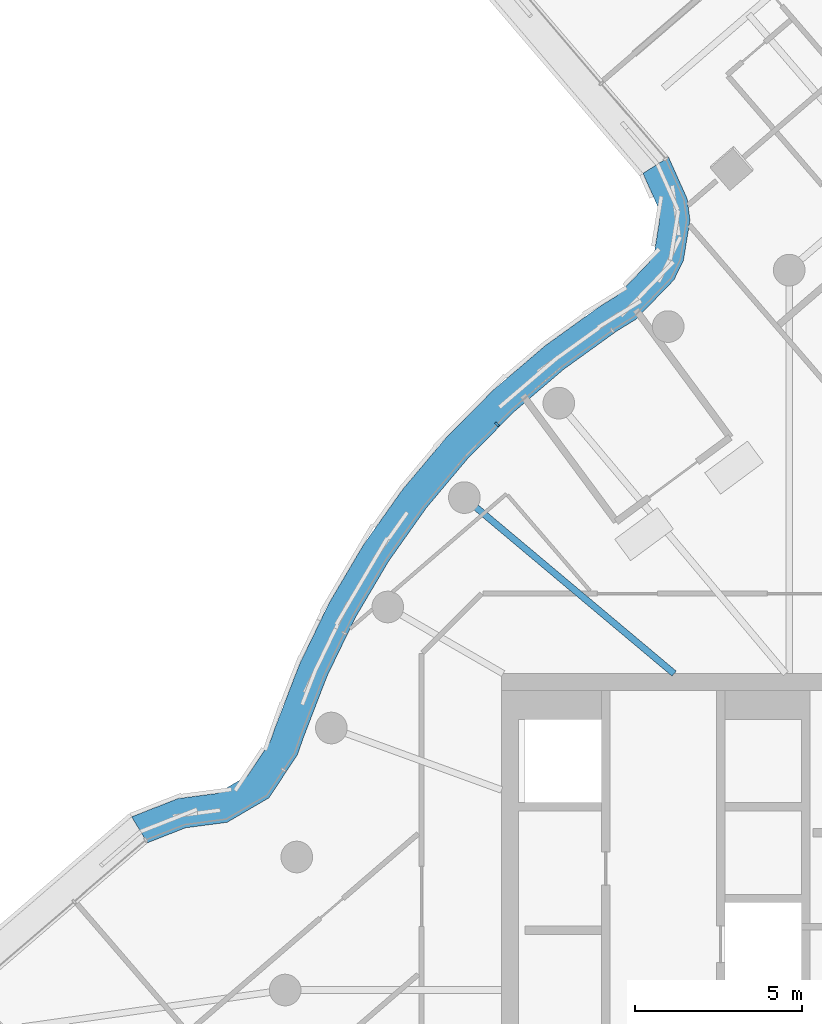
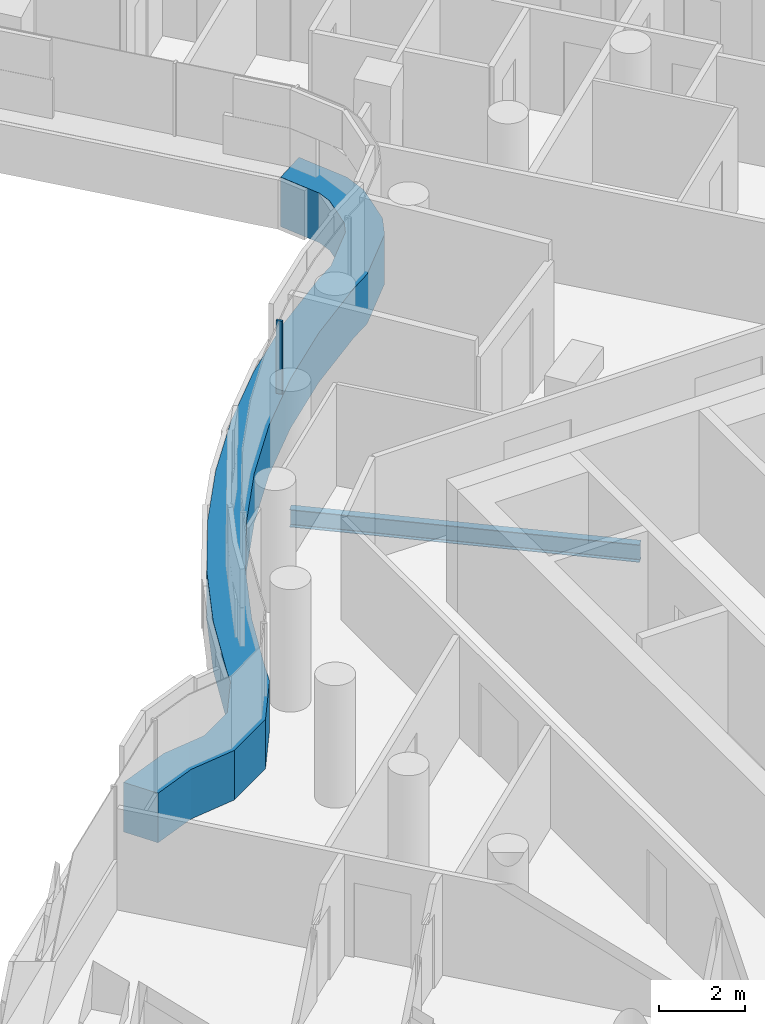
# One storey, part 10 of 34: 2 members, 1 beam, 1 element without a shape of its own.
"""IFC4 building model written with IfcOpenShell, lengths in metres."""

from ifc_helpers import new_model, si_unit, direction, frame, origin, origin_2d, place, context, subcontext, project, spatial, polyline, rectangle, i_section, outline, extrude, material, layer, layer_set, material_profile, profile_set, type_object, element, aggregate, save


model = new_model("IFC4")

# Units and contexts
model_context = context("Model", 3, precision=1e-05, world=origin(), true_north=direction((0.0, 1.0)))
body_context = subcontext(model_context, "Body", "Model", "MODEL_VIEW")
ifc_project = project(units=[si_unit("LENGTHUNIT", "METRE"), si_unit("AREAUNIT", "SQUARE_METRE"), si_unit("VOLUMEUNIT", "CUBIC_METRE"), si_unit("PLANEANGLEUNIT", "RADIAN"), si_unit("MASSUNIT", "GRAM", prefix="KILO")], contexts=[model_context])

# Site, building, storey
site_placement = place(None, origin())
site = spatial("IfcSite", under=ifc_project, at=site_placement, CompositionType="ELEMENT")
building_placement = place(site_placement, origin())
building = spatial("IfcBuilding", under=site, at=building_placement, Name="Tamarind Cross Interchange Tower", CompositionType="ELEMENT")
storey_placement = place(building_placement, frame((0.0, 0.0, 182.5)))
storey = spatial("IfcBuildingStorey", under=building, at=storey_placement, Name="L45", CompositionType="ELEMENT", Elevation=182.5)

# Beam
ifc_material_1 = material(Name="Steel Q355B", Category="steel")
ifc_material_profile_1 = material_profile(ifc_material_1, i_section(OverallWidth=0.198974609375, OverallDepth=0.49609375, WebThickness=0.009033203125, FlangeThickness=0.013916015625, FilletRadius=0.012939453125, at=origin_2d()), Name="HN 496x199x9x14")
ifc_profile_set_1 = profile_set([ifc_material_profile_1], Name="Steel Q355B")
beam_type = type_object("IfcBeamType", Name="Composite beam HN 496x199x9x14 Q355B", PredefinedType="BEAM", material=ifc_profile_set_1)
beam_placement = place(storey_placement, frame((-17.619140625, 14.7841796875, -0.387939453125), z_axis=(0.766040580814, -0.642792212574, 0.0), x_axis=(0.642792212574, 0.766040580814, 0.0)))
element("IfcBeam", 1, at=beam_placement, inside=storey, type_object=beam_type, Name="Beam HH14", PredefinedType="BEAM", context=body_context, shape_type="SweptSolid", body=[
    extrude(i_section(OverallWidth=0.198974609375, OverallDepth=0.49609375, WebThickness=0.009033203125, FlangeThickness=0.013916015625, FilletRadius=0.012939453125, at=origin_2d()), origin(), (0.0, 0.0, 1.0), 8.220703125),
])

# Curtain wall, members
ifc_material_2 = material(Name="Aluminium 6063-T6", Category="aluminium")
ifc_layer = layer(ifc_material_2, 0.14990234375)
ifc_layer_set = layer_set([ifc_layer], Name="Aluminium 6063-T6")
curtain_wall_type = type_object("IfcCurtainWallType", Name="Winter garden and crown curtain wall", PredefinedType="NOTDEFINED", material=ifc_layer_set)
curtain_wall_placement = place(storey_placement, origin())
curtain_wall = element("IfcCurtainWall", 2, at=curtain_wall_placement, inside=storey, type_object=curtain_wall_type, Name="CWS-L45-02", PredefinedType="NOTDEFINED")
ifc_material_3 = material(Name="Aluminium and insulated spandrel panel", Category="aluminium")
member_type_1 = type_object("IfcMemberType", Name="Floor-edge blade transom", PredefinedType="USERDEFINED", material=ifc_material_3)
member_1_placement = place(storey_placement, origin())
member_1 = element("IfcMember", 3, at=member_1_placement, type_object=member_type_1, Name="CWT-L45-02", ObjectType="TRANSOM", PredefinedType="USERDEFINED", context=body_context, shape_type="SweptSolid", body=[
    extrude(outline(polyline([(-11.488525390625, 25.00537109375), (-10.9296875, 23.755615234375), (-10.845703125, 23.112060546875), (-11.0419921875, 21.90576171875), (-11.3271484375, 21.318115234375), (-12.47705078125, 20.130615234375), (-13.04443359375, 19.781982421875), (-14.634521484375, 18.636474609375), (-16.12353515625, 17.3642578125), (-17.50244140625, 15.973388671875), (-18.76171875, 14.4736328125), (-19.892822265625, 12.874755859375), (-20.88818359375, 11.188232421875), (-21.74072265625, 9.425048828125), (-22.447509765625, 7.590087890625), (-22.63427734375, 7.057373046875), (-23.48681640625, 5.76806640625), (-24.743408203125, 5.03369140625), (-25.989501953125, 4.869873046875), (-27.135986328125, 4.418701171875), (-27.607666015625, 5.2001953125), (-26.21630859375, 5.747802734375), (-25.040771484375, 5.90234375), (-24.121826171875, 6.439208984375), (-23.446533203125, 7.46044921875), (-23.292236328125, 7.90087890625), (-22.567138671875, 9.783203125), (-21.68212890625, 11.613525390625), (-20.64892578125, 13.3642578125), (-19.474853515625, 15.023681640625), (-18.167724609375, 16.580810546875), (-16.736572265625, 18.0244140625), (-15.19091796875, 19.344970703125), (-13.543701171875, 20.53173828125), (-13.044677734375, 20.838134765625), (-12.07373046875, 21.8408203125), (-11.9091796875, 22.18017578125), (-11.75537109375, 23.12646484375), (-11.80517578125, 23.508544921875), (-12.2568359375, 24.51904296875), (-11.488525390625, 25.00537109375)])), origin(), (0.0, 0.0, 1.0), 1.39990234375),
])
ifc_material_profile_2 = material_profile(ifc_material_2, rectangle(XDim=0.06005859375, YDim=0.14990234375, at=origin_2d()), Name="Mullion CW6")
ifc_profile_set_2 = profile_set([ifc_material_profile_2], Name="Aluminium 6063-T6")
member_type_2 = type_object("IfcMemberType", Name="Mullion CW6", PredefinedType="MULLION", material=ifc_profile_set_2)
member_2_placement = place(storey_placement, frame((-16.638427734375, 16.987060546875, 1.39990234375), z_axis=(0.0, 0.0, 1.0), x_axis=(-0.704057148523, -0.710143317658, 0.0)))
member_2 = element("IfcMember", 4, at=member_2_placement, type_object=member_type_2, Name="CWM-L45-02-02", PredefinedType="MULLION", context=body_context, shape_type="SweptSolid", body=[
    extrude(rectangle(XDim=0.06005859375, YDim=0.14990234375, at=origin_2d()), origin(), (0.0, 0.0, 1.0), 2.06005859375),
])
aggregate(curtain_wall, [member_2, member_1])

save(model, "model.ifc")
